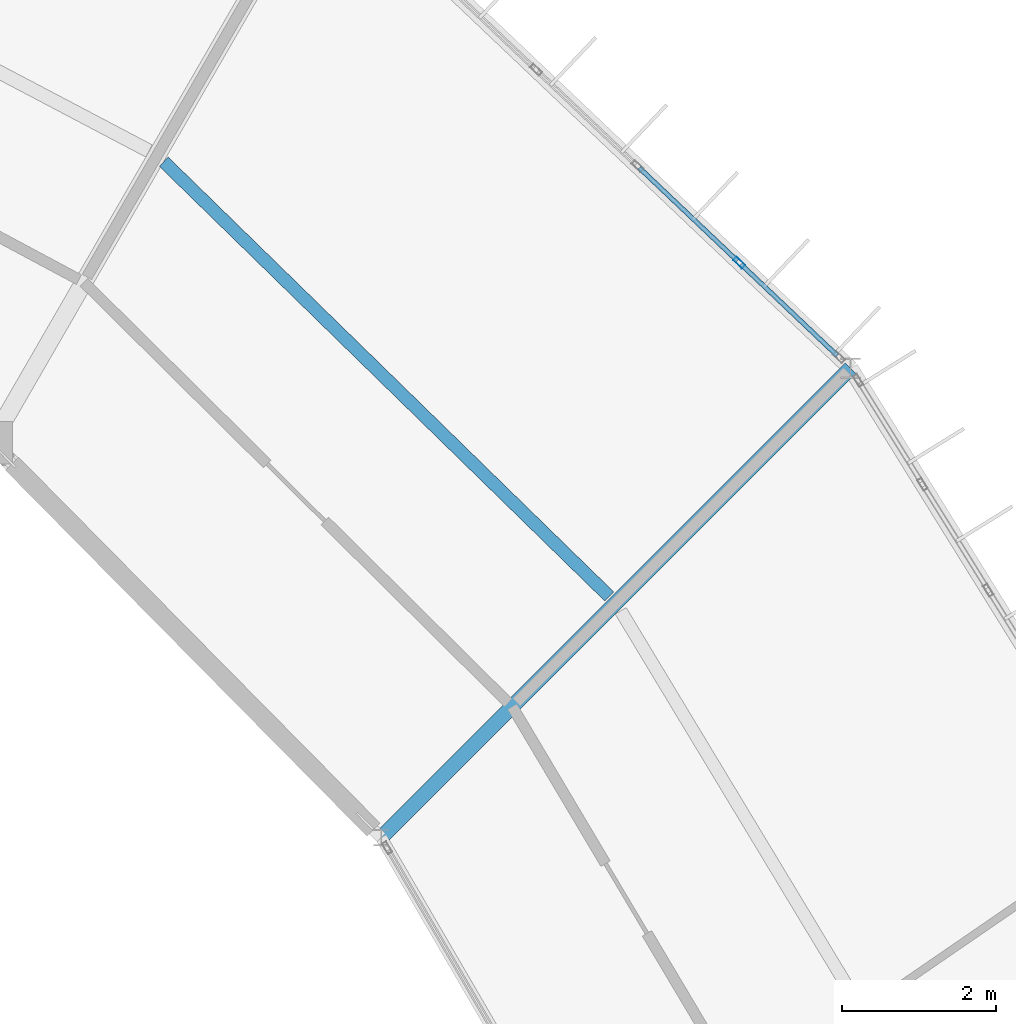
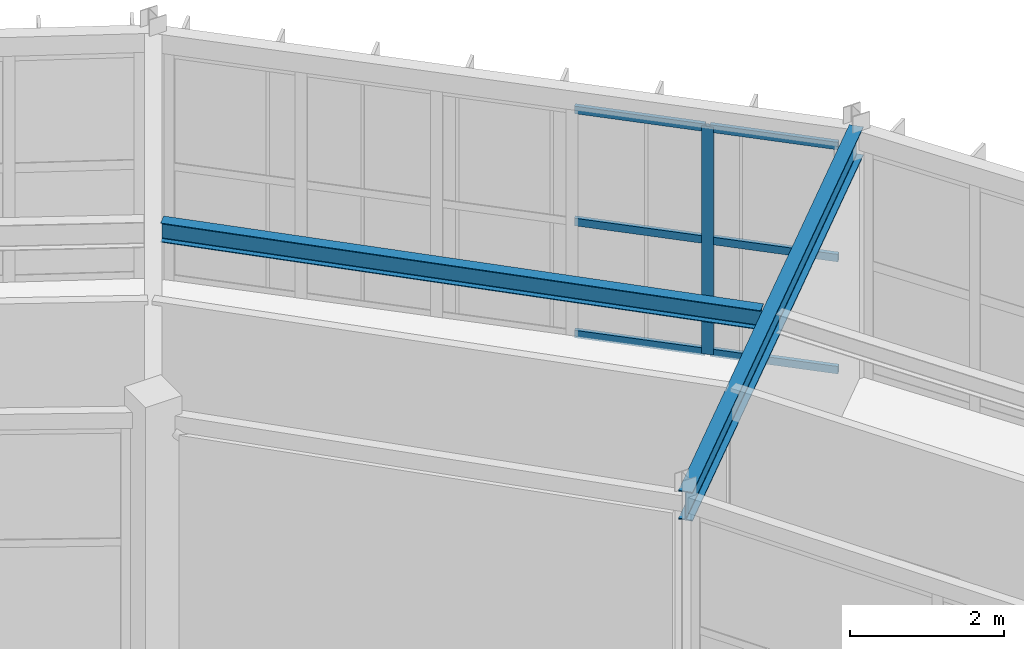
# One storey, part 75 of 130: 7 members, 2 beams, 1 element without a shape of its own.
"""IFC4 building model written with IfcOpenShell, lengths in metres."""

from ifc_helpers import new_model, si_unit, direction, frame, origin, origin_2d, place, context, subcontext, project, spatial, hollow_rectangle, i_section, extrude, material, material_profile, profile_set, type_object, element, aggregate, save


model = new_model("IFC4")

# Units and contexts
model_context = context("Model", 3, precision=1e-05, world=origin(), true_north=direction((0.0, 1.0)))
body_context = subcontext(model_context, "Body", "Model", "MODEL_VIEW")
ifc_project = project(units=[si_unit("LENGTHUNIT", "METRE"), si_unit("AREAUNIT", "SQUARE_METRE"), si_unit("VOLUMEUNIT", "CUBIC_METRE"), si_unit("PLANEANGLEUNIT", "RADIAN"), si_unit("MASSUNIT", "GRAM", prefix="KILO")], contexts=[model_context])

# Site, building, storey
site_placement = place(None, origin())
site = spatial("IfcSite", under=ifc_project, at=site_placement, CompositionType="ELEMENT")
building_placement = place(site_placement, origin())
building = spatial("IfcBuilding", under=site, at=building_placement, Name="Karori Crest Natural Sciences Institute", CompositionType="ELEMENT")
storey_placement = place(building_placement, frame((0.0, 0.0, 17.5)))
storey = spatial("IfcBuildingStorey", under=building, at=storey_placement, Name="L04", CompositionType="ELEMENT", Elevation=17.5)

# Beams
ifc_material_1 = material(Name="Structural steel AS/NZS 3679.1 Grade 350", Category="steel")
ifc_material_profile_1 = material_profile(ifc_material_1, i_section(OverallWidth=0.19091796875, OverallDepth=0.4599609375, WebThickness=0.010009765625, FlangeThickness=0.01611328125, FilletRadius=0.010986328125, at=origin_2d()), Name="460UB82.1")
ifc_profile_set_1 = profile_set([ifc_material_profile_1], Name="Structural steel AS/NZS 3679.1 Grade 350")
beam_type_1 = type_object("IfcBeamType", Name="BT-06", PredefinedType="BEAM", material=ifc_profile_set_1)
beam_1_placement = place(storey_placement, frame((83.6533203125, 72.668701171875, 3.7099609375), z_axis=(0.707106781187, 0.707106781187, 0.0), x_axis=(-0.707106781187, 0.707106781187, 0.0)))
element("IfcBeam", 1, at=beam_1_placement, inside=storey, type_object=beam_type_1, Name="Beam B-0463", PredefinedType="BEAM", context=body_context, shape_type="SweptSolid", body=[
    extrude(i_section(OverallWidth=0.19091796875, OverallDepth=0.4599609375, WebThickness=0.010009765625, FlangeThickness=0.01611328125, FilletRadius=0.010986328125, at=origin_2d()), origin(), (0.0, 0.0, 1.0), 8.600341796875),
])
ifc_material_profile_2 = material_profile(ifc_material_1, i_section(OverallWidth=0.166015625, OverallDepth=0.306884765625, WebThickness=0.006591796875, FlangeThickness=0.01171875, FilletRadius=0.010986328125, at=origin_2d()), Name="310UB46.2")
ifc_profile_set_2 = profile_set([ifc_material_profile_2], Name="Structural steel AS/NZS 3679.1 Grade 350")
beam_type_2 = type_object("IfcBeamType", Name="BT-09", PredefinedType="BEAM", material=ifc_profile_set_2)
beam_2_placement = place(storey_placement, frame((86.608154296875, 75.793212890625, 3.78662109375), z_axis=(-0.715696324431, 0.698411605857, 0.0), x_axis=(-0.698411605857, -0.715696324431, 0.0)))
element("IfcBeam", 2, at=beam_2_placement, inside=storey, type_object=beam_type_2, Name="Beam B-0464", PredefinedType="BEAM", context=body_context, shape_type="SweptSolid", body=[
    extrude(i_section(OverallWidth=0.166015625, OverallDepth=0.306884765625, WebThickness=0.006591796875, FlangeThickness=0.01171875, FilletRadius=0.010986328125, at=origin_2d()), origin(), (0.0, 0.0, 1.0), 8.065185546875),
])

# Curtain wall, members
ifc_material_2 = material(Name="Anodised architectural aluminium 6063-T6", Category="aluminium")
curtain_wall_type = type_object("IfcCurtainWallType", Name="CWT-04", PredefinedType="NOTDEFINED", material=ifc_material_2)
curtain_wall_placement = place(storey_placement, origin())
curtain_wall = element("IfcCurtainWall", 3, at=curtain_wall_placement, inside=storey, type_object=curtain_wall_type, Name="Curtain wall CW-0141", PredefinedType="NOTDEFINED")
ifc_material_profile_3 = material_profile(ifc_material_2, hollow_rectangle(XDim=0.06494140625, YDim=0.159912109375, WallThickness=0.00390625, at=origin_2d()), Name="CWM160x65x4")
ifc_profile_set_3 = profile_set([ifc_material_profile_3], Name="Anodised architectural aluminium 6063-T6")
member_type_1 = type_object("IfcMemberType", Name="CWM-01", PredefinedType="MULLION", material=ifc_profile_set_3)
member_1_placement = place(storey_placement, frame((88.29150390625, 80.118896484375, 0.0), z_axis=(0.0, 0.0, 1.0), x_axis=(0.688252251648, 0.725471459192, 0.0)))
member_1 = element("IfcMember", 4, at=member_1_placement, type_object=member_type_1, Name="CW-0141 mullion 5", PredefinedType="MULLION", context=body_context, shape_type="SweptSolid", body=[
    extrude(hollow_rectangle(XDim=0.06494140625, YDim=0.159912109375, WallThickness=0.00390625, at=origin_2d()), origin(), (0.0, 0.0, 1.0), 3.625),
])
ifc_material_profile_4 = material_profile(ifc_material_2, hollow_rectangle(XDim=0.06005859375, YDim=0.1201171875, WallThickness=0.00390625, at=origin_2d()), Name="CWT120x60x4")
ifc_profile_set_4 = profile_set([ifc_material_profile_4], Name="Anodised architectural aluminium 6063-T6")
member_type_2 = type_object("IfcMemberType", Name="CWT-TR1", PredefinedType="USERDEFINED", material=ifc_profile_set_4)
member_2_placement = place(storey_placement, frame((86.99853515625, 81.345458984375, 0.030029296875), z_axis=(0.725490496247, -0.688232184553, 0.0), x_axis=(0.688232184553, 0.725490496247, 0.0)))
member_2 = element("IfcMember", 5, at=member_2_placement, type_object=member_type_2, Name="CW-0141 transom 4.1", ObjectType="TRANSOM", PredefinedType="USERDEFINED", context=body_context, shape_type="SweptSolid", body=[
    extrude(hollow_rectangle(XDim=0.06005859375, YDim=0.1201171875, WallThickness=0.00390625, at=origin_2d()), origin(), (0.0, 0.0, 1.0), 1.74951171875),
])
member_3_placement = place(storey_placement, frame((86.99853515625, 81.345458984375, 1.8125), z_axis=(0.725490496247, -0.688232184553, 0.0), x_axis=(0.688232184553, 0.725490496247, 0.0)))
member_3 = element("IfcMember", 6, at=member_3_placement, type_object=member_type_2, Name="CW-0141 transom 4.2", ObjectType="TRANSOM", PredefinedType="USERDEFINED", context=body_context, shape_type="SweptSolid", body=[
    extrude(hollow_rectangle(XDim=0.06005859375, YDim=0.1201171875, WallThickness=0.00390625, at=origin_2d()), origin(), (0.0, 0.0, 1.0), 1.74951171875),
])
member_4_placement = place(storey_placement, frame((86.99853515625, 81.345458984375, 3.594970703125), z_axis=(0.725490496247, -0.688232184553, 0.0), x_axis=(0.688232184553, 0.725490496247, 0.0)))
member_4 = element("IfcMember", 7, at=member_4_placement, type_object=member_type_2, Name="CW-0141 transom 4.3", ObjectType="TRANSOM", PredefinedType="USERDEFINED", context=body_context, shape_type="SweptSolid", body=[
    extrude(hollow_rectangle(XDim=0.06005859375, YDim=0.1201171875, WallThickness=0.00390625, at=origin_2d()), origin(), (0.0, 0.0, 1.0), 1.74951171875),
])
member_5_placement = place(storey_placement, frame((88.315185546875, 80.0966796875, 0.030029296875), z_axis=(0.725418188491, -0.688308398762, 0.0), x_axis=(0.688308398762, 0.725418188491, 0.0)))
member_5 = element("IfcMember", 8, at=member_5_placement, type_object=member_type_2, Name="CW-0141 transom 5.1", ObjectType="TRANSOM", PredefinedType="USERDEFINED", context=body_context, shape_type="SweptSolid", body=[
    extrude(hollow_rectangle(XDim=0.06005859375, YDim=0.1201171875, WallThickness=0.00390625, at=origin_2d()), origin(), (0.0, 0.0, 1.0), 1.717041015625),
])
member_6_placement = place(storey_placement, frame((88.315185546875, 80.0966796875, 1.8125), z_axis=(0.725418188491, -0.688308398762, 0.0), x_axis=(0.688308398762, 0.725418188491, 0.0)))
member_6 = element("IfcMember", 9, at=member_6_placement, type_object=member_type_2, Name="CW-0141 transom 5.2", ObjectType="TRANSOM", PredefinedType="USERDEFINED", context=body_context, shape_type="SweptSolid", body=[
    extrude(hollow_rectangle(XDim=0.06005859375, YDim=0.1201171875, WallThickness=0.00390625, at=origin_2d()), origin(), (0.0, 0.0, 1.0), 1.717041015625),
])
member_7_placement = place(storey_placement, frame((88.315185546875, 80.0966796875, 3.594970703125), z_axis=(0.725418188491, -0.688308398762, 0.0), x_axis=(0.688308398762, 0.725418188491, 0.0)))
member_7 = element("IfcMember", 10, at=member_7_placement, type_object=member_type_2, Name="CW-0141 transom 5.3", ObjectType="TRANSOM", PredefinedType="USERDEFINED", context=body_context, shape_type="SweptSolid", body=[
    extrude(hollow_rectangle(XDim=0.06005859375, YDim=0.1201171875, WallThickness=0.00390625, at=origin_2d()), origin(), (0.0, 0.0, 1.0), 1.717041015625),
])
aggregate(curtain_wall, [member_1, member_2, member_3, member_4, member_5, member_6, member_7])

save(model, "model.ifc")
